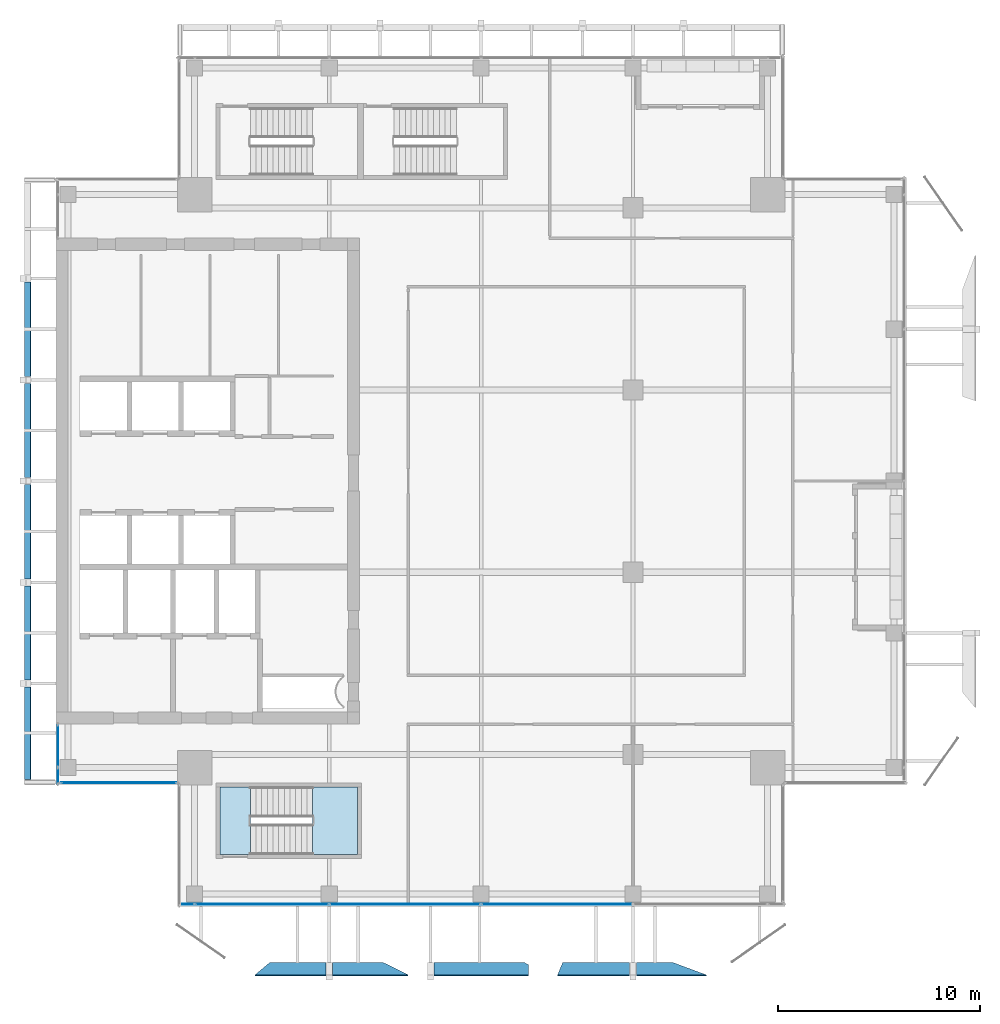
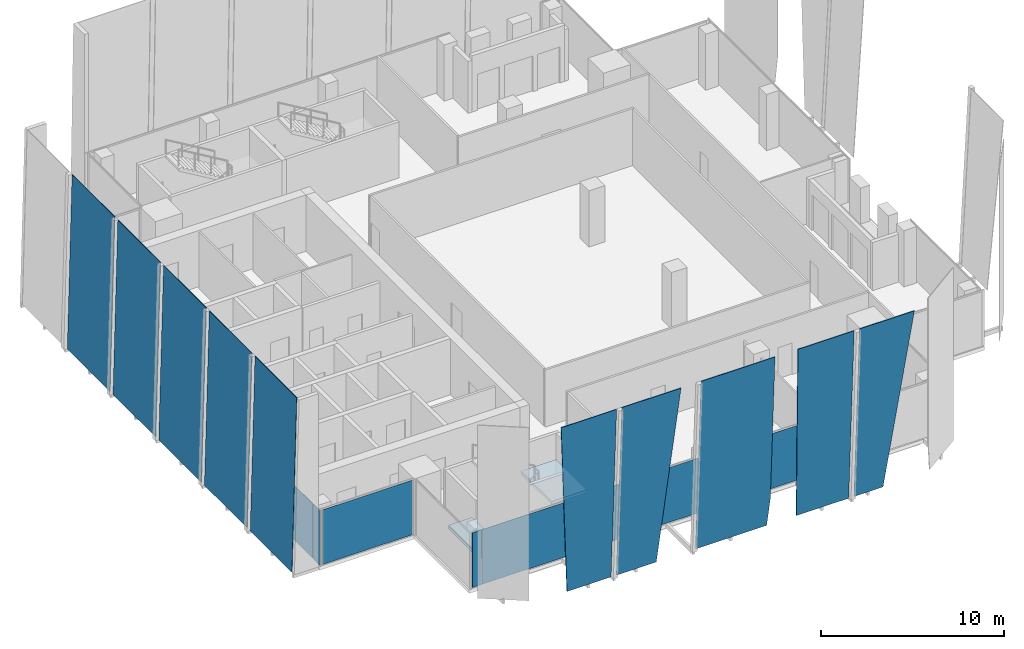
# One storey, part 21 of 32: 17 plates, 2 slabs, 4 elements without a shape of their own.
"""IFC4 building model written with IfcOpenShell, lengths in metres."""

from ifc_helpers import new_model, si_unit, direction, frame, origin, origin_2d, place, context, subcontext, project, spatial, polyline, rectangle, outline, extrude, source, transform, mapped, material, layer, layer_set, type_object, element, aggregate, save


model = new_model("IFC4")

# Units and contexts
model_context = context("Model", 3, precision=1e-05, world=origin(), true_north=direction((0.0, 1.0)))
body_context = subcontext(model_context, "Body", "Model", "MODEL_VIEW")
ifc_project = project(units=[si_unit("LENGTHUNIT", "METRE"), si_unit("AREAUNIT", "SQUARE_METRE"), si_unit("VOLUMEUNIT", "CUBIC_METRE"), si_unit("PLANEANGLEUNIT", "RADIAN"), si_unit("MASSUNIT", "GRAM", prefix="KILO")], contexts=[model_context])

# Site, building, storey
site_placement = place(None, origin())
site = spatial("IfcSite", under=ifc_project, at=site_placement, CompositionType="ELEMENT")
building_placement = place(site_placement, origin())
building = spatial("IfcBuilding", under=site, at=building_placement, Name="Khomas Fold Tower", CompositionType="ELEMENT")
storey_placement = place(building_placement, frame((0.0, 0.0, 318.199951171875)))
storey = spatial("IfcBuildingStorey", under=building, at=storey_placement, Name="L72", CompositionType="ELEMENT", Elevation=318.199951171875)

# Plates
ifc_material_1 = material(Name="Clear laminated glass", Category="glass")
ifc_layer_1 = layer(ifc_material_1, 0.0400390625)
ifc_layer_set_1 = layer_set([ifc_layer_1], Name="Clear laminated glass")
plate_type_1 = type_object("IfcPlateType", Name="SK-Clear laminated glass leaf", PredefinedType="SHEET", material=ifc_layer_set_1)
plate_1_placement = place(storey_placement, frame((16.55029296875, 3.21337890625, 0.0), z_axis=(0.0, 0.99862882819, 0.052349436554), x_axis=(-0.062276035864, -0.052247824406, 0.996690453552)))
element("IfcPlate", 1, at=plate_1_placement, inside=storey, type_object=plate_type_1, Name="OUTER SKIN glass L72 SG099-2", PredefinedType="SHEET", context=body_context, shape_type="SweptSolid", body=[
    extrude(outline(polyline([(0.0, 0.0), (11.588401180087285, 0.0), (11.37034382990063, 3.494668373972957), (-0.173114000085431, 2.7743894928222064), (0.0, 0.0)])), origin(), (0.0, 0.0, -1.0), 0.0400390625),
])
plate_2_placement = place(storey_placement, frame((22.184814453125, 3.21337890625, 0.0), z_axis=(0.0, 0.99862882819, 0.052349436554), x_axis=(-1.0, 0.0, 0.0)))
element("IfcPlate", 2, at=plate_2_placement, inside=storey, type_object=plate_type_1, Name="OUTER SKIN glass L72 SG100-4", PredefinedType="SHEET", context=body_context, shape_type="SweptSolid", body=[
    extrude(outline(polyline([(0.0, 0.0), (2.514892578125, 0.0), (2.514892578125, 11.565907674683308), (-1.21484375, 11.565907674683308), (0.0, 0.0)])), origin(), (0.0, 0.0, -1.0), 0.0400390625),
])
plate_3_placement = place(storey_placement, frame((29.14990234375, 3.21337890625, 0.0), z_axis=(-4.076698e-06, 0.998628824857, 0.052349499974), x_axis=(-0.999999999992, -4.071109e-06, -2.13413e-07)))
element("IfcPlate", 3, at=plate_3_placement, inside=storey, type_object=plate_type_1, Name="OUTER SKIN glass L72 SG101-6", PredefinedType="SHEET", context=body_context, shape_type="SweptSolid", body=[
    extrude(outline(polyline([(0.0, 0.0), (4.479980468712773, -1.185840956277192e-22), (4.479980468709778, 11.565907674683286), (-0.18017578125149725, 11.565907674683286), (-0.18017578140340146, 1.7775818713593643), (0.0, 0.0)])), origin(), (0.0, 0.0, -1.0), 0.0400390625),
])
plate_4_placement = place(storey_placement, frame((31.026123046875, 3.21337890625, 0.0), z_axis=(0.0, 0.99862882819, 0.052349436554), x_axis=(-0.021462545744, -0.05233737802, 0.998398797071)))
element("IfcPlate", 4, at=plate_4_placement, inside=storey, type_object=plate_type_1, Name="OUTER SKIN glass L72 SG102-7", PredefinedType="SHEET", context=body_context, shape_type="SweptSolid", body=[
    extrude(outline(polyline([(0.0, 0.0), (11.568572460236323, 0.0), (11.492332215953919, 3.551427844644164), (-0.07091128700163532, 3.3031940221009943), (0.0, 0.0)])), origin(), (0.0, 0.0, -1.0), 0.0400390625),
])
plate_5_placement = place(storey_placement, frame((36.498046875, 3.21337890625, 0.0), z_axis=(0.0, 0.99862882819, 0.052349436554), x_axis=(-1.0, 0.0, 0.0)))
element("IfcPlate", 5, at=plate_5_placement, inside=storey, type_object=plate_type_1, Name="OUTER SKIN glass L72 SG103-9", PredefinedType="SHEET", context=body_context, shape_type="SweptSolid", body=[
    extrude(outline(polyline([(0.0, 0.0), (1.828125, 0.0), (1.828125, 11.565907674683308), (-1.63623046875, 11.565907674683308), (0.0, 0.0)])), origin(), (0.0, 0.0, -1.0), 0.0400390625),
])
plate_6_placement = place(storey_placement, frame((4.4345703125, 12.27001953125, 0.0009765625), z_axis=(-0.999657230839, 0.0, 0.026180543005), x_axis=(0.0, 1.0, 0.0)))
element("IfcPlate", 6, at=plate_6_placement, inside=storey, type_object=plate_type_1, Name="OUTER SKIN glass L72 W1", PredefinedType="SHEET", context=body_context, shape_type="SweptSolid", body=[
    extrude(outline(polyline([(0.0, 0.0), (4.56005859375, 0.0), (4.56005859375, -11.554009186164079), (0.0, -11.554009186164079), (0.0, 0.0)])), origin(), (0.0, 0.0, -1.0), 0.0400390625),
])
for number, where, z_axis, x_axis, name in (
    (7, (4.4345703125, 17.169921875, 0.0009765625), (-0.999657230839, 0.0, 0.026180543005), (0.0, 1.0, 0.0), "OUTER SKIN glass L72 W3"),
    (8, (4.4345703125, 22.169921875, 0.0009765625), (-0.999657230839, 0.0, 0.026180543005), (0.0, 1.0, 0.0), "OUTER SKIN glass L72 W5"),
    (9, (4.4345703125, 27.169921875, 0.0009765625), (-0.999657230839, 0.0, 0.026180543005), (0.0, 1.0, 0.0), "OUTER SKIN glass L72 W7"),
    (10, (4.4345703125, 32.169921875, 0.0009765625), (-0.999657230839, 0.0, 0.026180543005), (0.0, 1.0, 0.0), "OUTER SKIN glass L72 W9"),
):
    element("IfcPlate", number, at=place(storey_placement, frame(where, z_axis=z_axis, x_axis=x_axis)), inside=storey, type_object=plate_type_1, Name=name, PredefinedType="SHEET", context=body_context, shape_type="SweptSolid", body=[
        extrude(outline(polyline([(0.0, 0.0), (4.66015625, 0.0), (4.66015625, -11.554009186164079), (0.0, -11.554009186164079), (0.0, 0.0)])), origin(), (0.0, 0.0, -1.0), 0.0400390625),
    ])

# Curtain wall, plates
ifc_material_2 = material(Name="Aluminium framed double glazing", Category="aluminium")
curtain_wall_type = type_object("IfcCurtainWallType", Name="SK-Unitised clear-glass wall, upper floors CW3", PredefinedType="NOTDEFINED", material=ifc_material_2)
curtain_wall_1_placement = place(storey_placement, origin())
curtain_wall_1 = element("IfcCurtainWall", 11, at=curtain_wall_1_placement, inside=storey, type_object=curtain_wall_type, Name="CW3 run L72 00-0", PredefinedType="NOTDEFINED")
ifc_material_3 = material(Name="Clear double glazed unit")
ifc_layer_2 = layer(ifc_material_3, 0.028076171875)
ifc_layer_set_2 = layer_set([ifc_layer_2], Name="Clear double glazed unit")
plate_type_2 = type_object("IfcPlateType", Name="SK-Unitised clear-glass wall, upper floors glass panel CW3-P", PredefinedType="CURTAIN_PANEL", material=ifc_layer_set_2)
shared_shape_1 = source(origin(), body_context, "Body", "SweptSolid", [
    extrude(rectangle(XDim=0.574951171875, YDim=0.028076171875, at=origin_2d()), origin(), (0.0, 0.0, 1.0), 3.64990234375),
])
plate_7_placement = place(storey_placement, frame((12.53759765625, 6.10009765625, 0.0), z_axis=(0.0, 0.0, 1.0), x_axis=(1.0, 0.0, 0.0)))
plate_7 = element("IfcPlate", 12, at=plate_7_placement, type_object=plate_type_2, Name="CW3 glass panel 1", PredefinedType="CURTAIN_PANEL", context=body_context, shape_type="MappedRepresentation", body=[
    mapped(shared_shape_1, transform((0.0, 0.0, 0.0))),
])
shared_shape_2 = source(origin(), body_context, "Body", "SweptSolid", [
    extrude(rectangle(XDim=6.60009765625, YDim=0.028076171875, at=origin_2d()), origin(), (0.0, 0.0, 1.0), 3.64990234375),
])
plate_8_placement = place(storey_placement, frame((16.175048828125, 6.10009765625, 0.0), z_axis=(0.0, 0.0, 1.0), x_axis=(1.0, 0.0, 0.0)))
plate_8 = element("IfcPlate", 13, at=plate_8_placement, type_object=plate_type_2, Name="CW3 glass panel 2", PredefinedType="CURTAIN_PANEL", context=body_context, shape_type="MappedRepresentation", body=[
    mapped(shared_shape_2, transform((0.0, 0.0, 0.0))),
])
shared_shape_3 = source(origin(), body_context, "Body", "SweptSolid", [
    extrude(rectangle(XDim=7.449951171875, YDim=0.028076171875, at=origin_2d()), origin(), (0.0, 0.0, 1.0), 3.64990234375),
])
plate_9_placement = place(storey_placement, frame((23.25, 6.10009765625, 0.0), z_axis=(0.0, 0.0, 1.0), x_axis=(1.0, 0.0, 0.0)))
plate_9 = element("IfcPlate", 14, at=plate_9_placement, type_object=plate_type_2, Name="CW3 glass panel 3", PredefinedType="CURTAIN_PANEL", context=body_context, shape_type="MappedRepresentation", body=[
    mapped(shared_shape_3, transform((0.0, 0.0, 0.0))),
])
plate_10_placement = place(storey_placement, frame((30.75, 6.10009765625, 0.0), z_axis=(0.0, 0.0, 1.0), x_axis=(1.0, 0.0, 0.0)))
plate_10 = element("IfcPlate", 15, at=plate_10_placement, type_object=plate_type_2, Name="CW3 glass panel 4", PredefinedType="CURTAIN_PANEL", context=body_context, shape_type="MappedRepresentation", body=[
    mapped(shared_shape_3, transform((0.0, 0.0, 0.0))),
])
aggregate(curtain_wall_1, [plate_7, plate_8, plate_9, plate_10])

# Curtain wall, plate
curtain_wall_2_placement = place(storey_placement, origin())
curtain_wall_2 = element("IfcCurtainWall", 16, at=curtain_wall_2_placement, inside=storey, type_object=curtain_wall_type, Name="CW3 run L72 09-1", PredefinedType="NOTDEFINED")
shared_shape_4 = source(origin(), body_context, "Body", "SweptSolid", [
    extrude(rectangle(XDim=0.77490234375, YDim=0.028076171875, at=origin_2d()), origin(), (0.0, 0.0, 1.0), 3.64990234375),
])
plate_11_placement = place(storey_placement, frame((6.10009765625, 12.4375, 0.0), z_axis=(0.0, 0.0, 1.0), x_axis=(0.0, -1.0, 0.0)))
plate_11 = element("IfcPlate", 17, at=plate_11_placement, type_object=plate_type_2, Name="CW3 glass panel 2", PredefinedType="CURTAIN_PANEL", context=body_context, shape_type="MappedRepresentation", body=[
    mapped(shared_shape_4, transform((0.0, 0.0, 0.0))),
])

curtain_wall_3_placement = place(storey_placement, origin())
curtain_wall_3 = element("IfcCurtainWall", 18, at=curtain_wall_3_placement, inside=storey, type_object=curtain_wall_type, Name="CW3 corner return L72 10", PredefinedType="NOTDEFINED")
shared_shape_5 = source(origin(), body_context, "Body", "SweptSolid", [
    extrude(rectangle(XDim=5.699951171875, YDim=0.028076171875, at=origin_2d()), origin(), (0.0, 0.0, 1.0), 3.64990234375),
])
plate_12_placement = place(storey_placement, frame((9.10009765625, 12.10009765625, 0.0), z_axis=(0.0, 0.0, 1.0), x_axis=(1.0, 0.0, 0.0)))
plate_12 = element("IfcPlate", 19, at=plate_12_placement, type_object=plate_type_2, Name="CW3 glass panel 1", PredefinedType="CURTAIN_PANEL", context=body_context, shape_type="MappedRepresentation", body=[
    mapped(shared_shape_5, transform((0.0, 0.0, 0.0))),
])
aggregate(curtain_wall_3, [plate_12])

# Plate
shared_shape_6 = source(origin(), body_context, "Body", "SweptSolid", [
    extrude(rectangle(XDim=2.074951171875, YDim=0.028076171875, at=origin_2d()), origin(), (0.0, 0.0, 1.0), 3.64990234375),
])
plate_13_placement = place(storey_placement, frame((6.10009765625, 13.91259765625, 0.0), z_axis=(0.0, 0.0, 1.0), x_axis=(0.0, -1.0, 0.0)))
plate_13 = element("IfcPlate", 20, at=plate_13_placement, type_object=plate_type_2, Name="CW3 glass panel 1", PredefinedType="CURTAIN_PANEL", context=body_context, shape_type="MappedRepresentation", body=[
    mapped(shared_shape_6, transform((0.0, 0.0, 0.0))),
])

aggregate(curtain_wall_2, [plate_13, plate_11])

# Stair, slab
ifc_material_4 = material(Name="Concrete C40/50", Category="concrete")
stair_type = type_object("IfcStairType", Name="Stair ST2", PredefinedType="HALF_TURN_STAIR", material=ifc_material_4)
stair_placement = place(storey_placement, origin())
stair = element("IfcStair", 21, at=stair_placement, inside=storey, type_object=stair_type, Name="L72 ST2", PredefinedType="HALF_TURN_STAIR")
ifc_material_5 = material(Name="Concrete C40/50", Category="concrete")
ifc_layer_3 = layer(ifc_material_5, 0.199951171875)
ifc_layer_set_3 = layer_set([ifc_layer_3], Name="Concrete C40/50")
slab_type_1 = type_object("IfcSlabType", Name="Stair landing 200", PredefinedType="LANDING", material=ifc_layer_set_3)
shared_shape_7 = source(origin(), body_context, "Body", "SweptSolid", [
    extrude(outline(polyline([(18.679931640625, 8.550048828125), (20.89990234375, 8.550048828125), (20.89990234375, 11.89990234375), (18.679931640625, 11.89990234375), (18.679931640625, 8.550048828125)])), origin(), (0.0, 0.0, 1.0), 0.199951171875),
])
slab_1_placement = place(storey_placement, frame((0.0, 0.0, 1.800048828125)))
slab_1 = element("IfcSlab", 22, at=slab_1_placement, type_object=slab_type_1, Name="ST2 landing 1", PredefinedType="LANDING", context=body_context, shape_type="MappedRepresentation", body=[
    mapped(shared_shape_7, transform((0.0, 0.0, 0.0))),
])
aggregate(stair, [slab_1])

# Slab
ifc_material_6 = material(Name="Concrete C40/50", Category="concrete")
ifc_layer_4 = layer(ifc_material_6, 0.25)
ifc_layer_set_4 = layer_set([ifc_layer_4], Name="Concrete C40/50")
slab_type_2 = type_object("IfcSlabType", Name="Stair floor landing 250", PredefinedType="LANDING", material=ifc_layer_set_4)
shared_shape_8 = source(origin(), body_context, "Body", "SweptSolid", [
    extrude(outline(polyline([(15.60009765625, 8.550048828125), (14.10009765625, 8.550048828125), (14.10009765625, 11.89990234375), (15.60009765625, 11.89990234375), (15.60009765625, 8.550048828125)])), origin(), (0.0, 0.0, 1.0), 0.25),
])
slab_2_placement = place(storey_placement, frame((0.0, 0.0, -0.25)))
element("IfcSlab", 23, at=slab_2_placement, inside=storey, type_object=slab_type_2, Name="ST2 floor landing", PredefinedType="LANDING", context=body_context, shape_type="MappedRepresentation", body=[
    mapped(shared_shape_8, transform((0.0, 0.0, 0.0))),
])

save(model, "model.ifc")
